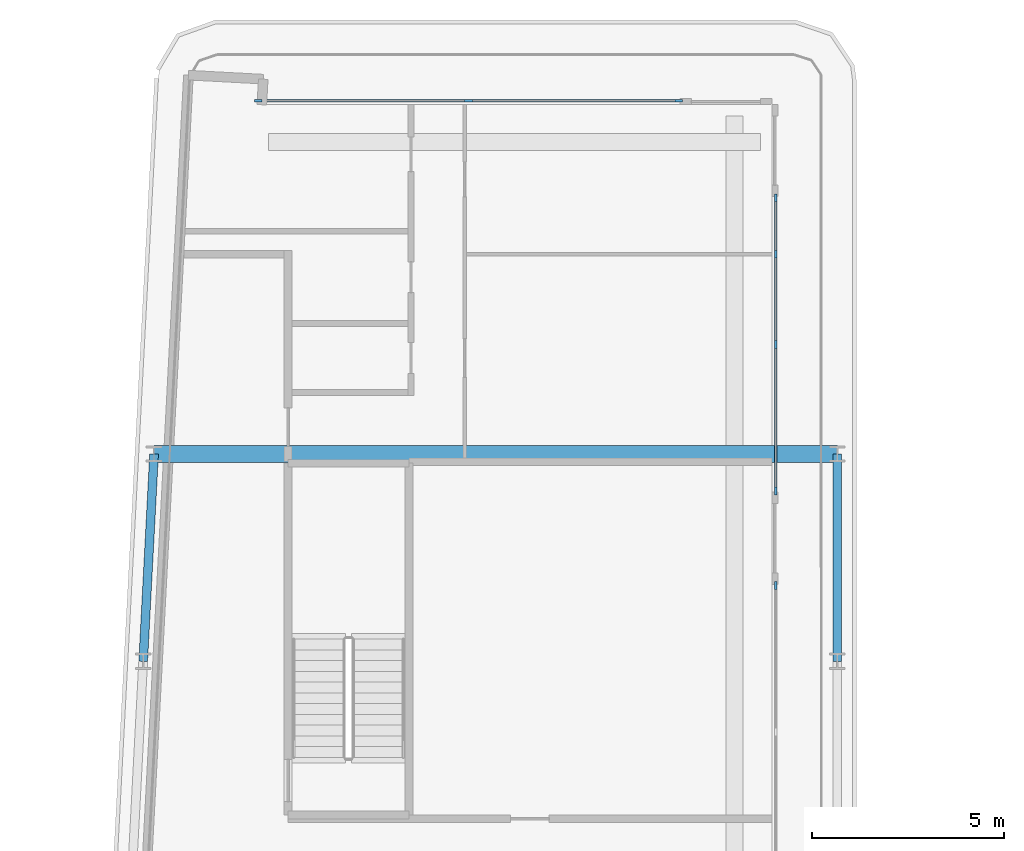
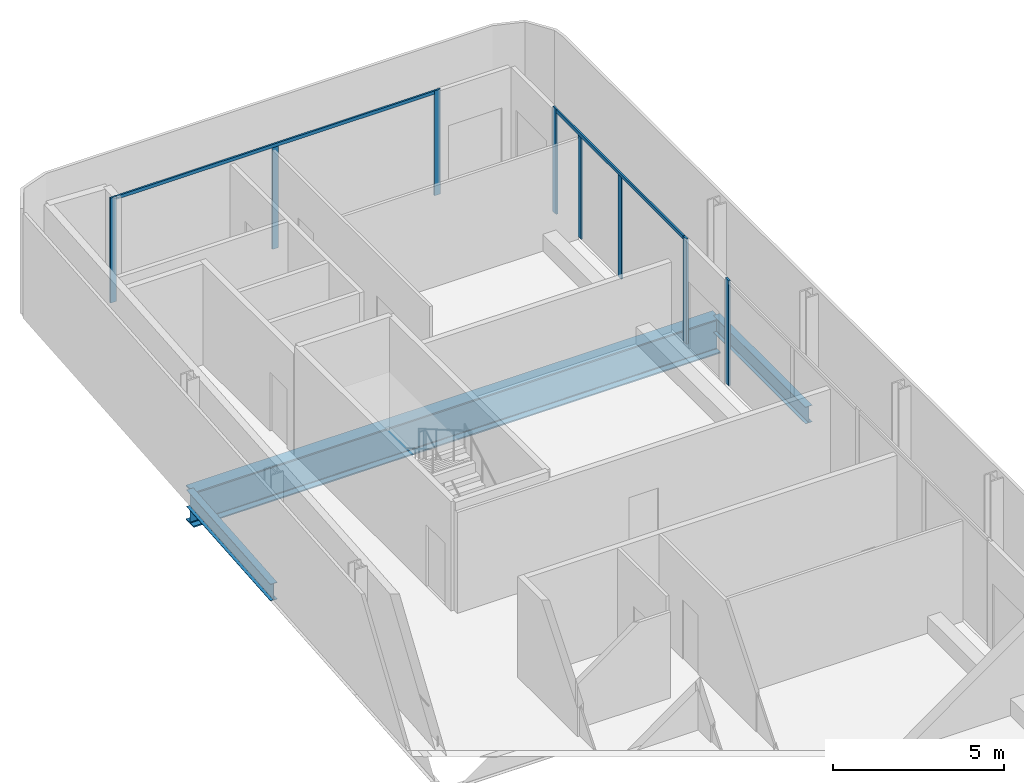
# One storey, part 8 of 26: 10 members, 3 beams, 3 elements without a shape of their own.
"""IFC4 building model written with IfcOpenShell, lengths in metres."""

from ifc_helpers import new_model, si_unit, direction, frame, origin, origin_2d, place, context, subcontext, project, spatial, rectangle, i_section, extrude, material, layer, layer_set, material_profile, profile_set, type_object, element, aggregate, save


model = new_model("IFC4")

# Units and contexts
model_context = context("Model", 3, precision=1e-05, world=origin(), true_north=direction((0.0, 1.0)))
body_context = subcontext(model_context, "Body", "Model", "MODEL_VIEW")
ifc_project = project(units=[si_unit("LENGTHUNIT", "METRE"), si_unit("AREAUNIT", "SQUARE_METRE"), si_unit("VOLUMEUNIT", "CUBIC_METRE"), si_unit("PLANEANGLEUNIT", "RADIAN"), si_unit("MASSUNIT", "GRAM", prefix="KILO")], contexts=[model_context])

# Site, building, storey
site_placement = place(None, origin())
site = spatial("IfcSite", under=ifc_project, at=site_placement, CompositionType="ELEMENT")
building_placement = place(site_placement, origin())
building = spatial("IfcBuilding", under=site, at=building_placement, Name="Kheshtan School and Residences Tower", CompositionType="ELEMENT")
storey_placement = place(building_placement, frame((0.0, 0.0, 156.5)))
storey = spatial("IfcBuildingStorey", under=building, at=storey_placement, Name="L36", CompositionType="ELEMENT", Elevation=156.5)

# Beams
ifc_material_1 = material(Name="Steel ASTM A992 Grade 50", Category="steel")
ifc_material_profile_1 = material_profile(ifc_material_1, i_section(OverallWidth=0.22802734375, OverallDepth=0.60302734375, WebThickness=0.010498046875, FlangeThickness=0.014892578125, FilletRadius=0.013427734375, at=origin_2d()), Name="W610x101")
ifc_profile_set_1 = profile_set([ifc_material_profile_1], Name="Steel ASTM A992 Grade 50")
beam_type_1 = type_object("IfcBeamType", Name="Beam SP2 W610x101 ASTM A992 Grade 50", PredefinedType="BEAM", material=ifc_profile_set_1)
beam_1_placement = place(storey_placement, frame((47.60009765625, 88.800048828125, -0.451416015625), z_axis=(0.0, -1.0, 0.0), x_axis=(1.0, 0.0, 0.0)))
element("IfcBeam", 1, at=beam_1_placement, inside=storey, type_object=beam_type_1, Name="Spandrel beam C099-C091", PredefinedType="BEAM", context=body_context, shape_type="SweptSolid", body=[
    extrude(i_section(OverallWidth=0.22802734375, OverallDepth=0.60302734375, WebThickness=0.010498046875, FlangeThickness=0.014892578125, FilletRadius=0.013427734375, at=origin_2d()), origin(), (0.0, 0.0, 1.0), 5.400146484375),
])
beam_2_placement = place(storey_placement, frame((29.527099609375, 83.39990234375, -0.451416015625), z_axis=(0.05250670125, 0.998620571751, 0.0), x_axis=(-0.998620571751, 0.05250670125, 0.0)))
element("IfcBeam", 2, at=beam_2_placement, inside=storey, type_object=beam_type_1, Name="Spandrel beam C090-C098", PredefinedType="BEAM", context=body_context, shape_type="SweptSolid", body=[
    extrude(i_section(OverallWidth=0.22802734375, OverallDepth=0.60302734375, WebThickness=0.010498046875, FlangeThickness=0.014892578125, FilletRadius=0.013427734375, at=origin_2d()), origin(), (0.0, 0.0, 1.0), 5.40771484375),
])

# Curtain wall, members
ifc_material_2 = material(Name="Clear low-e glass in thermally broken aluminium frame", Category="aluminium")
ifc_layer = layer(ifc_material_2, 0.199951171875)
ifc_layer_set = layer_set([ifc_layer], Name="Curtain wall CW-L")
curtain_wall_type = type_object("IfcCurtainWallType", Name="Curtain wall CW-L", PredefinedType="NOTDEFINED", material=ifc_layer_set)
curtain_wall_1_placement = place(storey_placement, origin())
curtain_wall_1 = element("IfcCurtainWall", 3, at=curtain_wall_1_placement, inside=storey, type_object=curtain_wall_type, Name="Curtain wall CWL7", PredefinedType="NOTDEFINED")
ifc_material_3 = material(Name="Thermally broken aluminium, dark bronze anodised", Category="aluminium")
ifc_material_profile_2 = material_profile(ifc_material_3, rectangle(XDim=0.06005859375, YDim=0.199951171875, at=origin_2d()), Name="CW-L mullion 60x200")
ifc_profile_set_2 = profile_set([ifc_material_profile_2], Name="Thermally broken aluminium, dark bronze anodised")
member_type_1 = type_object("IfcMemberType", Name="CW-L mullion 60x200", PredefinedType="MULLION", material=ifc_profile_set_2)
member_1_placement = place(storey_placement, frame((32.52197265625, 98.0, 0.0), z_axis=(0.0, 0.0, 1.0), x_axis=(0.0, 1.0, 0.0)))
member_1 = element("IfcMember", 4, at=member_1_placement, type_object=member_type_1, Name="CWL7 mullion 1", PredefinedType="MULLION", context=body_context, shape_type="SweptSolid", body=[
    extrude(rectangle(XDim=0.06005859375, YDim=0.199951171875, at=origin_2d()), origin(), (0.0, 0.0, 1.0), 3.75),
])
member_2_placement = place(storey_placement, frame((37.99609375, 98.0, 0.0), z_axis=(0.0, 0.0, 1.0), x_axis=(0.0, 1.0, 0.0)))
member_2 = element("IfcMember", 5, at=member_2_placement, type_object=member_type_1, Name="CWL7 mullion 2", PredefinedType="MULLION", context=body_context, shape_type="SweptSolid", body=[
    extrude(rectangle(XDim=0.06005859375, YDim=0.199951171875, at=origin_2d()), origin(), (0.0, 0.0, 1.0), 3.6298828125),
])
member_3_placement = place(storey_placement, frame((43.469970703125, 98.0, 0.0), z_axis=(0.0, 0.0, 1.0), x_axis=(0.0, 1.0, 0.0)))
member_3 = element("IfcMember", 6, at=member_3_placement, type_object=member_type_1, Name="CWL7 mullion 3", PredefinedType="MULLION", context=body_context, shape_type="SweptSolid", body=[
    extrude(rectangle(XDim=0.06005859375, YDim=0.199951171875, at=origin_2d()), origin(), (0.0, 0.0, 1.0), 3.75),
])

curtain_wall_2_placement = place(storey_placement, origin())
curtain_wall_2 = element("IfcCurtainWall", 7, at=curtain_wall_2_placement, inside=storey, type_object=curtain_wall_type, Name="Curtain wall CWL8c", PredefinedType="NOTDEFINED")
member_4_placement = place(storey_placement, frame((46.0, 95.469970703125, 0.0), z_axis=(0.0, 0.0, 1.0), x_axis=(1.0, 0.0, 0.0)))
member_4 = element("IfcMember", 8, at=member_4_placement, type_object=member_type_1, Name="CWL8c mullion 1", PredefinedType="MULLION", context=body_context, shape_type="SweptSolid", body=[
    extrude(rectangle(XDim=0.06005859375, YDim=0.199951171875, at=origin_2d()), origin(), (0.0, 0.0, 1.0), 3.75),
])
member_5_placement = place(storey_placement, frame((46.0, 94.0, 0.0), z_axis=(0.0, 0.0, 1.0), x_axis=(1.0, 0.0, 0.0)))
member_5 = element("IfcMember", 9, at=member_5_placement, type_object=member_type_1, Name="CWL8c mullion 2", PredefinedType="MULLION", context=body_context, shape_type="SweptSolid", body=[
    extrude(rectangle(XDim=0.06005859375, YDim=0.199951171875, at=origin_2d()), origin(), (0.0, 0.0, 1.0), 3.6298828125),
])
member_6_placement = place(storey_placement, frame((46.0, 91.653076171875, 0.0), z_axis=(0.0, 0.0, 1.0), x_axis=(1.0, 0.0, 0.0)))
member_6 = element("IfcMember", 10, at=member_6_placement, type_object=member_type_1, Name="CWL8c mullion 3", PredefinedType="MULLION", context=body_context, shape_type="SweptSolid", body=[
    extrude(rectangle(XDim=0.06005859375, YDim=0.199951171875, at=origin_2d()), origin(), (0.0, 0.0, 1.0), 3.6298828125),
])
member_7_placement = place(storey_placement, frame((46.0, 87.8359375, 0.0), z_axis=(0.0, 0.0, 1.0), x_axis=(1.0, 0.0, 0.0)))
member_7 = element("IfcMember", 11, at=member_7_placement, type_object=member_type_1, Name="CWL8c mullion 4", PredefinedType="MULLION", context=body_context, shape_type="SweptSolid", body=[
    extrude(rectangle(XDim=0.06005859375, YDim=0.199951171875, at=origin_2d()), origin(), (0.0, 0.0, 1.0), 3.75),
])

# Curtain wall, member
curtain_wall_3_placement = place(storey_placement, origin())
curtain_wall_3 = element("IfcCurtainWall", 12, at=curtain_wall_3_placement, inside=storey, type_object=curtain_wall_type, Name="Curtain wall CWL8", PredefinedType="NOTDEFINED")
member_8_placement = place(storey_placement, frame((46.0, 85.3759765625, 0.0), z_axis=(0.0, 0.0, 1.0), x_axis=(1.0, 0.0, 0.0)))
member_8 = element("IfcMember", 13, at=member_8_placement, type_object=member_type_1, Name="CWL8 mullion 1", PredefinedType="MULLION", context=body_context, shape_type="SweptSolid", body=[
    extrude(rectangle(XDim=0.06005859375, YDim=0.199951171875, at=origin_2d()), origin(), (0.0, 0.0, 1.0), 3.75),
])
aggregate(curtain_wall_3, [member_8])

# Member
ifc_material_profile_3 = material_profile(ifc_material_3, rectangle(XDim=0.06005859375, YDim=0.1201171875, at=origin_2d()), Name="CW-L transom 60x120")
ifc_profile_set_3 = profile_set([ifc_material_profile_3], Name="Thermally broken aluminium, dark bronze anodised")
member_type_2 = type_object("IfcMemberType", Name="CW-L transom 60x120", PredefinedType="USERDEFINED", material=ifc_profile_set_3)
member_9_placement = place(storey_placement, frame((32.552001953125, 98.0, 3.68994140625), z_axis=(1.0, 0.0, 0.0), x_axis=(0.0, 1.0, 0.0)))
member_9 = element("IfcMember", 14, at=member_9_placement, type_object=member_type_2, Name="CWL7 transom 1", ObjectType="TRANSOM", PredefinedType="USERDEFINED", context=body_context, shape_type="SweptSolid", body=[
    extrude(rectangle(XDim=0.06005859375, YDim=0.1201171875, at=origin_2d()), origin(), (0.0, 0.0, 1.0), 10.887939453125),
])

aggregate(curtain_wall_1, [member_1, member_2, member_3, member_9])

member_10_placement = place(storey_placement, frame((46.0, 95.43994140625, 3.68994140625), z_axis=(0.0, -1.0, 0.0), x_axis=(1.0, 0.0, 0.0)))
member_10 = element("IfcMember", 15, at=member_10_placement, type_object=member_type_2, Name="CWL8c transom 1", ObjectType="TRANSOM", PredefinedType="USERDEFINED", context=body_context, shape_type="SweptSolid", body=[
    extrude(rectangle(XDim=0.06005859375, YDim=0.1201171875, at=origin_2d()), origin(), (0.0, 0.0, 1.0), 7.573974609375),
])

aggregate(curtain_wall_2, [member_4, member_5, member_6, member_7, member_10])

# Beam
ifc_material_profile_4 = material_profile(ifc_material_1, i_section(OverallWidth=0.449951171875, OverallDepth=1.25, WebThickness=0.02490234375, FlangeThickness=0.044921875, FilletRadius=0.03759765625, at=origin_2d()), Name="WWF1250x546")
ifc_profile_set_4 = profile_set([ifc_material_profile_4], Name="Steel ASTM A992 Grade 50")
beam_type_2 = type_object("IfcBeamType", Name="Transfer girder TG4 WWF1250x546 ASTM A992 Grade 50", PredefinedType="BEAM", material=ifc_profile_set_4)
beam_3_placement = place(storey_placement, frame((29.81103515625, 88.800048828125, -0.77490234375), z_axis=(1.0, 0.0, 0.0), x_axis=(0.0, 1.0, 0.0)))
element("IfcBeam", 16, at=beam_3_placement, inside=storey, type_object=beam_type_2, Name="Transfer girder C098-C099", PredefinedType="BEAM", context=body_context, shape_type="SweptSolid", body=[
    extrude(i_section(OverallWidth=0.449951171875, OverallDepth=1.25, WebThickness=0.02490234375, FlangeThickness=0.044921875, FilletRadius=0.03759765625, at=origin_2d()), origin(), (0.0, 0.0, 1.0), 17.7890625),
])

save(model, "model.ifc")
